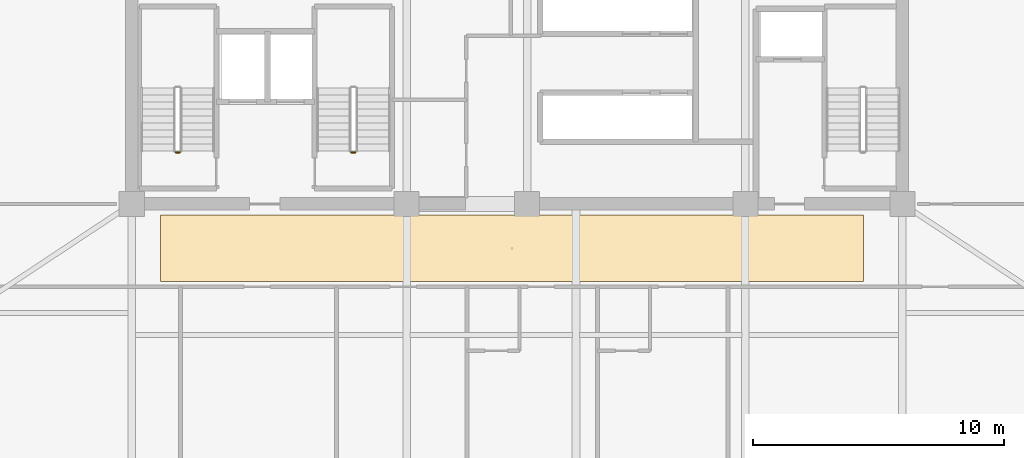
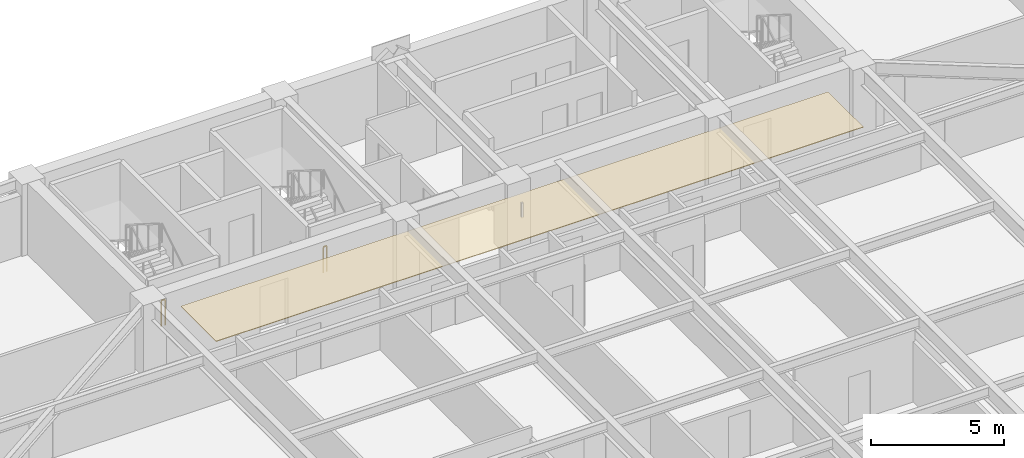
# One storey, part 13 of 16: 2 railings, 1 covering.
"""IFC4 building model written with IfcOpenShell, lengths in metres."""

from ifc_helpers import new_model, si_unit, direction, frame, origin, origin_2d, place, context, subcontext, project, spatial, polyline, rectangle, outline, extrude, material, layer, layer_set, type_object, element, save


model = new_model("IFC4")

# Units and contexts
model_context = context("Model", 3, precision=1e-05, world=origin(), true_north=direction((0.0, 1.0)))
body_context = subcontext(model_context, "Body", "Model", "MODEL_VIEW")
ifc_project = project(units=[si_unit("LENGTHUNIT", "METRE"), si_unit("AREAUNIT", "SQUARE_METRE"), si_unit("VOLUMEUNIT", "CUBIC_METRE"), si_unit("PLANEANGLEUNIT", "RADIAN"), si_unit("MASSUNIT", "GRAM", prefix="KILO")], contexts=[model_context])

# Site, building, storey
site_placement = place(None, origin())
site = spatial("IfcSite", under=ifc_project, at=site_placement, CompositionType="ELEMENT")
building_placement = place(site_placement, origin())
building = spatial("IfcBuilding", under=site, at=building_placement, Name="Giltprow Tower", CompositionType="ELEMENT")
storey_placement = place(building_placement, frame((0.0, 0.0, 199.199951171875)))
storey = spatial("IfcBuildingStorey", under=building, at=storey_placement, Name="L50", CompositionType="ELEMENT", Elevation=199.199951171875)

# Covering
ifc_material_1 = material(Name="Painted gypsum board", Category="gypsum")
ifc_layer = layer(ifc_material_1, 0.030029296875, Name="Painted gypsum board")
ifc_layer_set = layer_set([ifc_layer], Name="Painted gypsum board")
covering_type = type_object("IfcCoveringType", Name="COV-CLG-GYPSUM", PredefinedType="CEILING", material=ifc_layer_set)
covering_placement = place(storey_placement, frame((0.0, 0.0, 2.6201171875)))
element("IfcCovering", 1, at=covering_placement, inside=storey, type_object=covering_type, Name="L50 Hotel Corridor Gypsum Ceiling", PredefinedType="CEILING", context=body_context, shape_type="SweptSolid", body=[
    extrude(outline(polyline([(21.0, 34.35009765625), (49.0, 34.35009765625), (49.0, 37.0), (21.0, 37.0), (21.0, 34.35009765625)])), origin(), (0.0, 0.0, 1.0), 0.030029296875),
])

# Railings
ifc_material_2 = material(Name="Anodized bronze", Category="metal")
railing_type = type_object("IfcRailingType", Name="RAIL-STAIR-GUARD-1200", PredefinedType="GUARDRAIL", material=ifc_material_2)
for number, where, name in (
    (2, (21.760009765625, 39.5, 0.0), "L50 ST-1 stair guard 4"),
    (3, (28.760009765625, 39.5, 0.0), "L50 ST-2 stair guard 4"),
):
    element("IfcRailing", number, at=place(storey_placement, frame(where)), inside=storey, type_object=railing_type, Name=name, PredefinedType="GUARDRAIL", context=body_context, shape_type="SweptSolid", body=[
        extrude(rectangle(XDim=0.048095703125, YDim=0.048095703125, at=origin_2d()), frame((0.0, 0.0, 1.17578125), z_axis=(-1.0, 0.0, 0.0), x_axis=(0.0, -1.0, 0.0)), (0.0, 0.0, 1.0), 0.159912109375),
        extrude(rectangle(XDim=0.0419921875, YDim=0.0419921875, at=origin_2d()), origin(), (0.0, 0.0, 1.0), 1.15185546875),
        extrude(rectangle(XDim=0.0419921875, YDim=0.0419921875, at=origin_2d()), frame((-0.159912109375, 0.0, 0.0)), (0.0, 0.0, 1.0), 1.15185546875),
    ])

save(model, "model.ifc")
